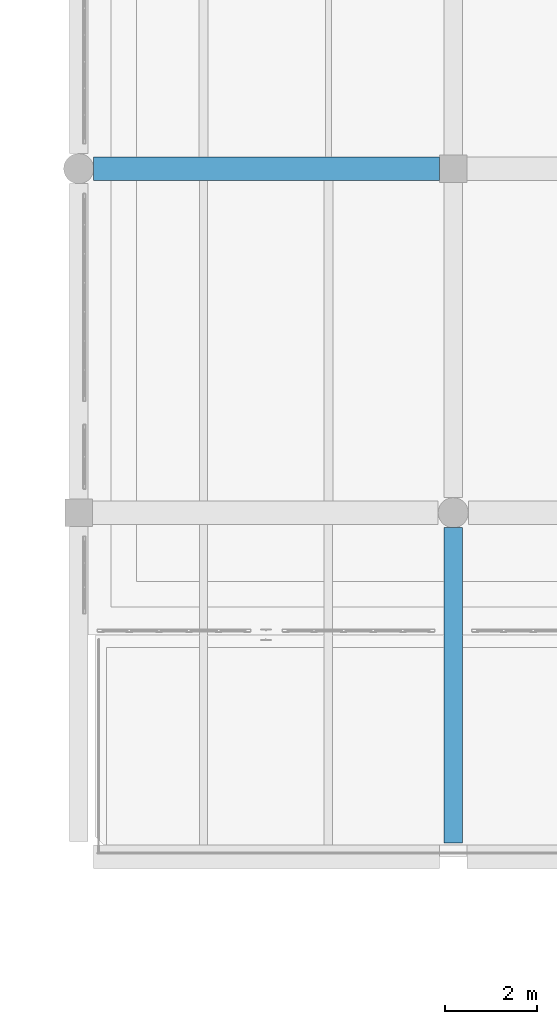
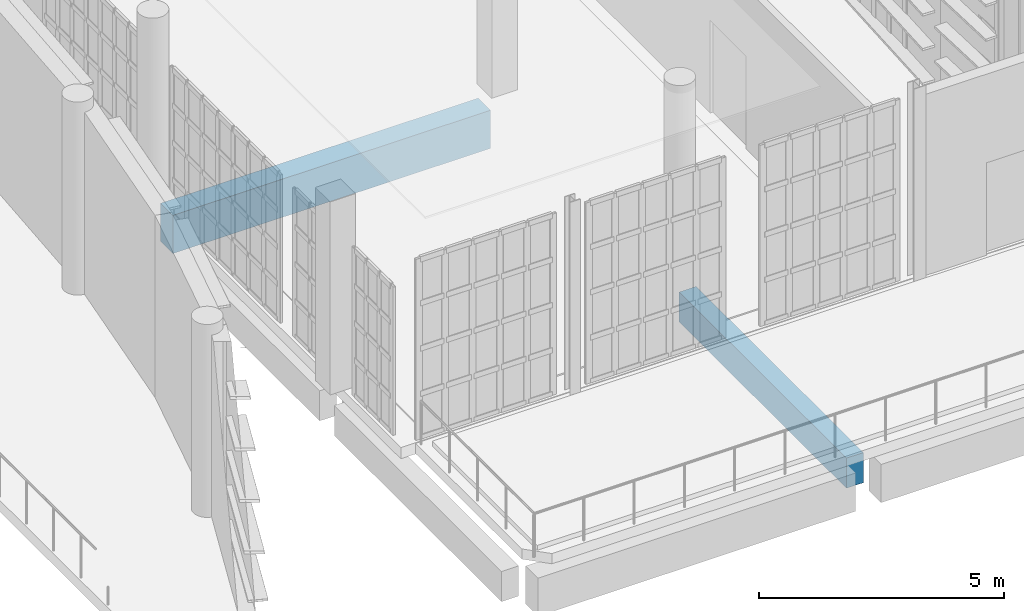
# One storey, part 30 of 104: 2 beams.
"""IFC4 building model written with IfcOpenShell, lengths in metres."""

import ifcopenshell
import ifcopenshell.guid

model = None  # the IFC model being written
_history = None  # IfcOwnerHistory: only IFC2X3 demands one
_inside = {}  # id of a spatial element -> (the spatial element, [elements in it])
_under = {}  # id of a project, library or spatial element -> (it, [spatial elements below it])
_declared = {}  # id of a project -> (the project, [libraries it declares])
_typed = {}  # id of a type object -> (the type object, [elements of that type])
_made_of = {}  # id of a material, layer set ... -> (it, [elements and type objects made of it])


def new_model(schema):
    """Start an empty IFC model of exactly this schema.

    Asked for "IFC4X3", IfcOpenShell would pick the latest addendum, in which some entities
    have other attributes; the version numbers below select the first issue.
    IFC2X3 requires an IfcOwnerHistory on every rooted entity: one is made here for all.
    """
    global model, _history
    if schema == "IFC4X3":
        model = ifcopenshell.file(schema_version=(4, 3, 0, 0))
    else:
        model = ifcopenshell.file(schema=schema)
    _inside.clear()
    _under.clear()
    _declared.clear()
    _typed.clear()
    _made_of.clear()
    _history = None
    if model.schema == "IFC2X3":
        org = make("IfcOrganization", Name="unknown")
        user = make(
            "IfcPersonAndOrganization",
            ThePerson=make("IfcPerson", FamilyName="unknown"),
            TheOrganization=org,
        )
        app = make(
            "IfcApplication",
            ApplicationDeveloper=org,
            Version="unknown",
            ApplicationFullName="unknown",
            ApplicationIdentifier="unknown",
        )
        _history = make(
            "IfcOwnerHistory",
            OwningUser=user,
            OwningApplication=app,
            ChangeAction="ADDED",
            CreationDate=0,
        )
    return model


def make(cls, **values):
    """One entity of the class cls with the attributes given. An attribute that is None is left unset."""
    return model.create_entity(
        cls, **{name: value for name, value in values.items() if value is not None}
    )


def rooted(cls, **values):
    """An entity with a GlobalId (a new one), such as an element, a storey or a relation."""
    return make(cls, GlobalId=ifcopenshell.guid.new(), OwnerHistory=_history, **values)


def si_unit(unit_type, name, prefix=None):
    """IfcSIUnit, for example si_unit("LENGTHUNIT", "METRE", prefix="MILLI")."""
    return make("IfcSIUnit", UnitType=unit_type, Prefix=prefix, Name=name)


def assignment(units):
    """IfcUnitAssignment: the units of a project."""
    return None if units is None else make("IfcUnitAssignment", Units=units)


def point(xyz):
    """IfcCartesianPoint."""
    return None if xyz is None else make("IfcCartesianPoint", Coordinates=xyz)


def direction(xyz):
    """IfcDirection."""
    return None if xyz is None else make("IfcDirection", DirectionRatios=xyz)


def frame(location, z_axis=None, x_axis=None):
    """IfcAxis2Placement3D, a coordinate frame: its origin and axes. An axis left out is left unset."""
    return make(
        "IfcAxis2Placement3D",
        Location=point(location),
        Axis=direction(z_axis),
        RefDirection=direction(x_axis),
    )


def frame_2d(location, x_axis=None):
    """IfcAxis2Placement2D, a coordinate frame in the plane: its origin and x axis."""
    return make(
        "IfcAxis2Placement2D", Location=point(location), RefDirection=direction(x_axis)
    )


def origin():
    """The frame at (0, 0, 0) with its axes left unset."""
    return frame((0.0, 0.0, 0.0))


def origin_2d():
    """The frame at (0, 0) in the plane with its x axis left unset."""
    return frame_2d((0.0, 0.0))


def place(relative_to, where):
    """IfcLocalPlacement: puts the frame where relative to a parent placement (None: the world)."""
    return make(
        "IfcLocalPlacement", PlacementRelTo=relative_to, RelativePlacement=where
    )


def context(
    kind, dimensions, precision=None, world=None, true_north=None, identifier=None
):
    """IfcGeometricRepresentationContext, for example the 3D "Model" context."""
    return make(
        "IfcGeometricRepresentationContext",
        ContextIdentifier=identifier,
        ContextType=kind,
        CoordinateSpaceDimension=dimensions,
        Precision=precision,
        WorldCoordinateSystem=world,
        TrueNorth=true_north,
    )


def subcontext(parent, identifier, kind, view, scale=None):
    """IfcGeometricRepresentationSubContext, for example "Body" below "Model"."""
    return make(
        "IfcGeometricRepresentationSubContext",
        ContextIdentifier=identifier,
        ContextType=kind,
        ParentContext=parent,
        TargetScale=scale,
        TargetView=view,
    )


def project(units=None, contexts=None):
    """IfcProject with its units and contexts."""
    return rooted(
        "IfcProject",
        Name="project",
        RepresentationContexts=contexts,
        UnitsInContext=assignment(units),
    )


def spatial(cls, under=None, at=None, **own):
    """A site, building, storey or space (cls), placed at a placement, below another one or the project."""
    s = rooted(cls, ObjectPlacement=at, **own)
    if under is not None:
        _under.setdefault(under.id(), (under, []))[1].append(s)
    return s


def profile(cls, at=None, kind="AREA", **sizes):
    """A parametric profile (cls). Its sizes go by their IFC names, for example OverallWidth=200.0."""
    return make(cls, ProfileType=kind, Position=at, **sizes)


def rectangle(**sizes):
    """IfcRectangleProfileDef."""
    return profile("IfcRectangleProfileDef", **sizes)


def extrude(swept, where, along, depth):
    """IfcExtrudedAreaSolid: the profile swept, set in the frame where, extruded along a direction by depth."""
    return make(
        "IfcExtrudedAreaSolid",
        SweptArea=swept,
        Position=where,
        ExtrudedDirection=direction(along),
        Depth=depth,
    )


def shape(context_of_items, identifier, shape_type, items):
    """IfcShapeRepresentation: the items that make up one representation, for example the "Body"."""
    return make(
        "IfcShapeRepresentation",
        ContextOfItems=context_of_items,
        RepresentationIdentifier=identifier,
        RepresentationType=shape_type,
        Items=items,
    )


def material(Name=None, Category=None):
    """IfcMaterial."""
    return make("IfcMaterial", Name=Name, Category=Category)


def material_profile(
    of_material, cross_section, Name=None, Category=None, Priority=None
):
    """IfcMaterialProfile: a cross section and its material."""
    return make(
        "IfcMaterialProfile",
        Name=Name,
        Material=of_material,
        Profile=cross_section,
        Priority=Priority,
        Category=Category,
    )


def profile_set(profiles, Name=None, composite=None):
    """IfcMaterialProfileSet."""
    return make(
        "IfcMaterialProfileSet",
        Name=Name,
        MaterialProfiles=profiles,
        CompositeProfile=composite,
    )


def made_of(thing, what):
    """Note that an element or type object is made of a material, layer set ...; save() writes the relation."""
    if what is not None:
        _made_of.setdefault(what.id(), (what, []))[1].append(thing)
    return thing


def type_object(cls, material=None, **own):
    """A type object (cls), such as IfcWallType, which elements share."""
    return made_of(rooted(cls, **own), material)


def element(
    cls,
    number,
    at=None,
    inside=None,
    cuts=None,
    type_object=None,
    material=None,
    context=None,
    identifier="Body",
    shape_type=None,
    held_by="IfcProductDefinitionShape",
    body=None,
    shapes=None,
    **own,
):
    """One element of the class cls, such as IfcWall. Its Tag is "e" and its number.

    at: its placement. inside: the storey or other place that contains it. cuts: it is an
    opening in that element (IfcRelVoidsElement). A single representation is given by context,
    identifier, shape_type and body (its items); several are given by shapes. held_by: the class
    of the entity that holds the representations. save() writes the other relations.
    """
    e = rooted(cls, Tag="e%d" % number, ObjectPlacement=at, **own)
    if body is not None:
        shapes = [shape(context, identifier, shape_type, body)]
    if shapes is not None:
        e.Representation = make(held_by, Representations=shapes)
    if inside is not None:
        _inside.setdefault(inside.id(), (inside, []))[1].append(e)
    if cuts is not None:
        rooted(
            "IfcRelVoidsElement", RelatingBuildingElement=cuts, RelatedOpeningElement=e
        )
    if type_object is not None:
        _typed.setdefault(type_object.id(), (type_object, []))[1].append(e)
    return made_of(e, material)


def aggregate(whole, parts):
    """IfcRelAggregates: a whole, such as a stair, and the parts it consists of."""
    return rooted("IfcRelAggregates", RelatingObject=whole, RelatedObjects=parts)


def save(model, path):
    """Write the relations noted so far, then the file.

    IfcRelAggregates (storeys below a building ...), IfcRelContainedInSpatialStructure (elements
    in a storey), IfcRelDefinesByType, IfcRelAssociatesMaterial and IfcRelDeclares: one each for
    every whole, place, type object, material and project.
    """
    for whole, parts in _under.values():
        aggregate(whole, parts)
    for where, things in _inside.values():
        rooted(
            "IfcRelContainedInSpatialStructure",
            RelatedElements=things,
            RelatingStructure=where,
        )
    for kind, things in _typed.values():
        rooted("IfcRelDefinesByType", RelatedObjects=things, RelatingType=kind)
    for what, things in _made_of.values():
        rooted("IfcRelAssociatesMaterial", RelatedObjects=things, RelatingMaterial=what)
    for by, libraries in _declared.values():
        rooted("IfcRelDeclares", RelatingContext=by, RelatedDefinitions=libraries)
    model.write(path)


model = new_model("IFC4")

# Units and contexts
model_context = context("Model", 3, precision=1e-05, world=origin(), true_north=direction((0.0, 1.0)))
body_context = subcontext(model_context, "Body", "Model", "MODEL_VIEW")
ifc_project = project(units=[si_unit("LENGTHUNIT", "METRE"), si_unit("AREAUNIT", "SQUARE_METRE"), si_unit("VOLUMEUNIT", "CUBIC_METRE"), si_unit("PLANEANGLEUNIT", "RADIAN"), si_unit("MASSUNIT", "GRAM", prefix="KILO")], contexts=[model_context])

# Site, building, storey
site_placement = place(None, origin())
site = spatial("IfcSite", under=ifc_project, at=site_placement, CompositionType="ELEMENT")
building_placement = place(site_placement, origin())
building = spatial("IfcBuilding", under=site, at=building_placement, Name="Kaelora Sail Theatre", CompositionType="ELEMENT")
storey_placement = place(building_placement, frame((0.0, 0.0, 5.39990234375)))
storey = spatial("IfcBuildingStorey", under=building, at=storey_placement, Name="L01", CompositionType="ELEMENT", Elevation=5.39990234375)

# Beams
ifc_material_1 = material(Name="Concrete C40/50", Category="concrete")
ifc_material_profile_1 = material_profile(ifc_material_1, rectangle(XDim=0.39990234375, YDim=0.75, at=origin_2d()), Name="RC-BM 400x750")
ifc_profile_set_1 = profile_set([ifc_material_profile_1], Name="Concrete C40/50")
beam_type_1 = type_object("IfcBeamType", Name="STR-BM-BM-RC4075", PredefinedType="BEAM", material=ifc_profile_set_1)
beam_1_placement = place(storey_placement, frame((114.89990234375, 39.0, -0.669921875), z_axis=(0.0, 1.0, 0.0), x_axis=(-1.0, 0.0, 0.0)))
element("IfcBeam", 1, at=beam_1_placement, inside=storey, type_object=beam_type_1, Name="Primary beam 15 F-G (L01)", PredefinedType="BEAM", context=body_context, shape_type="SweptSolid", body=[
    extrude(rectangle(XDim=0.39990234375, YDim=0.75, at=origin_2d()), origin(), (0.0, 0.0, 1.0), 6.81494140625),
])
ifc_material_2 = material(Name="Concrete C45/55", Category="concrete")
ifc_material_profile_2 = material_profile(ifc_material_2, rectangle(XDim=0.5, YDim=0.949951171875, at=origin_2d()), Name="RC-GRD 500x950")
ifc_profile_set_2 = profile_set([ifc_material_profile_2], Name="Concrete C45/55")
beam_type_2 = type_object("IfcBeamType", Name="STR-BM-GR-RC5095", PredefinedType="T_BEAM", material=ifc_profile_set_2)
beam_2_placement = place(storey_placement, frame((107.125, 53.580078125, -0.77001953125), z_axis=(1.0, 0.0, 0.0), x_axis=(0.0, 1.0, 0.0)))
element("IfcBeam", 2, at=beam_2_placement, inside=storey, type_object=beam_type_2, Name="Primary beam H 14-15 (L01)", PredefinedType="T_BEAM", context=body_context, shape_type="SweptSolid", body=[
    extrude(rectangle(XDim=0.5, YDim=0.949951171875, at=origin_2d()), origin(), (0.0, 0.0, 1.0), 7.47509765625),
])

save(model, "model.ifc")
